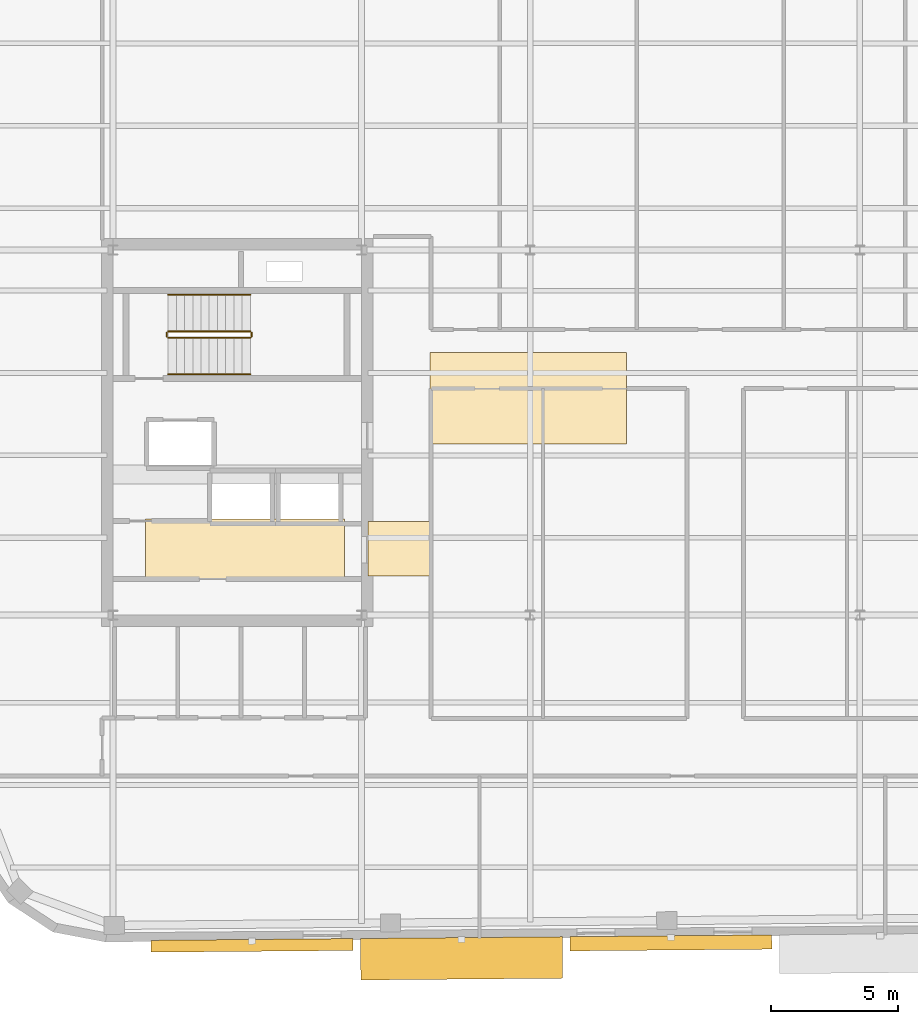
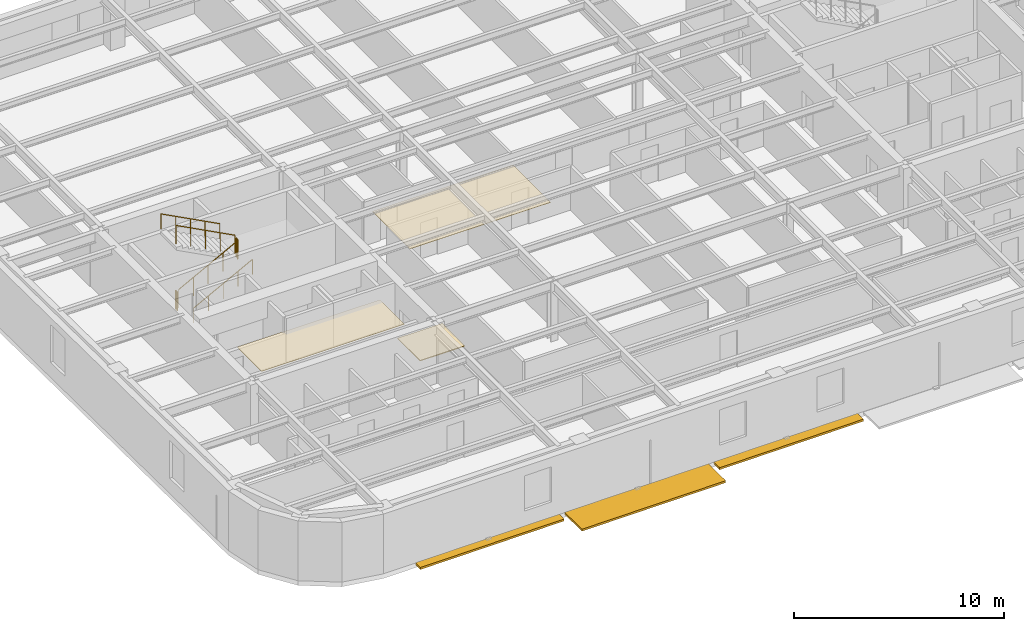
# One storey, part 11 of 13: 6 railings, 3 coverings, 3 shading devices.
"""IFC4 building model written with IfcOpenShell, lengths in metres."""

import ifcopenshell
import ifcopenshell.guid

model = None  # the IFC model being written
_history = None  # IfcOwnerHistory: only IFC2X3 demands one
_inside = {}  # id of a spatial element -> (the spatial element, [elements in it])
_under = {}  # id of a project, library or spatial element -> (it, [spatial elements below it])
_declared = {}  # id of a project -> (the project, [libraries it declares])
_typed = {}  # id of a type object -> (the type object, [elements of that type])
_made_of = {}  # id of a material, layer set ... -> (it, [elements and type objects made of it])


def new_model(schema):
    """Start an empty IFC model of exactly this schema.

    Asked for "IFC4X3", IfcOpenShell would pick the latest addendum, in which some entities
    have other attributes; the version numbers below select the first issue.
    IFC2X3 requires an IfcOwnerHistory on every rooted entity: one is made here for all.
    """
    global model, _history
    if schema == "IFC4X3":
        model = ifcopenshell.file(schema_version=(4, 3, 0, 0))
    else:
        model = ifcopenshell.file(schema=schema)
    _inside.clear()
    _under.clear()
    _declared.clear()
    _typed.clear()
    _made_of.clear()
    _history = None
    if model.schema == "IFC2X3":
        org = make("IfcOrganization", Name="unknown")
        user = make(
            "IfcPersonAndOrganization",
            ThePerson=make("IfcPerson", FamilyName="unknown"),
            TheOrganization=org,
        )
        app = make(
            "IfcApplication",
            ApplicationDeveloper=org,
            Version="unknown",
            ApplicationFullName="unknown",
            ApplicationIdentifier="unknown",
        )
        _history = make(
            "IfcOwnerHistory",
            OwningUser=user,
            OwningApplication=app,
            ChangeAction="ADDED",
            CreationDate=0,
        )
    return model


def make(cls, **values):
    """One entity of the class cls with the attributes given. An attribute that is None is left unset."""
    return model.create_entity(
        cls, **{name: value for name, value in values.items() if value is not None}
    )


def rooted(cls, **values):
    """An entity with a GlobalId (a new one), such as an element, a storey or a relation."""
    return make(cls, GlobalId=ifcopenshell.guid.new(), OwnerHistory=_history, **values)


def si_unit(unit_type, name, prefix=None):
    """IfcSIUnit, for example si_unit("LENGTHUNIT", "METRE", prefix="MILLI")."""
    return make("IfcSIUnit", UnitType=unit_type, Prefix=prefix, Name=name)


def assignment(units):
    """IfcUnitAssignment: the units of a project."""
    return None if units is None else make("IfcUnitAssignment", Units=units)


def point(xyz):
    """IfcCartesianPoint."""
    return None if xyz is None else make("IfcCartesianPoint", Coordinates=xyz)


def direction(xyz):
    """IfcDirection."""
    return None if xyz is None else make("IfcDirection", DirectionRatios=xyz)


def frame(location, z_axis=None, x_axis=None):
    """IfcAxis2Placement3D, a coordinate frame: its origin and axes. An axis left out is left unset."""
    return make(
        "IfcAxis2Placement3D",
        Location=point(location),
        Axis=direction(z_axis),
        RefDirection=direction(x_axis),
    )


def frame_2d(location, x_axis=None):
    """IfcAxis2Placement2D, a coordinate frame in the plane: its origin and x axis."""
    return make(
        "IfcAxis2Placement2D", Location=point(location), RefDirection=direction(x_axis)
    )


def origin():
    """The frame at (0, 0, 0) with its axes left unset."""
    return frame((0.0, 0.0, 0.0))


def origin_2d():
    """The frame at (0, 0) in the plane with its x axis left unset."""
    return frame_2d((0.0, 0.0))


def place(relative_to, where):
    """IfcLocalPlacement: puts the frame where relative to a parent placement (None: the world)."""
    return make(
        "IfcLocalPlacement", PlacementRelTo=relative_to, RelativePlacement=where
    )


def context(
    kind, dimensions, precision=None, world=None, true_north=None, identifier=None
):
    """IfcGeometricRepresentationContext, for example the 3D "Model" context."""
    return make(
        "IfcGeometricRepresentationContext",
        ContextIdentifier=identifier,
        ContextType=kind,
        CoordinateSpaceDimension=dimensions,
        Precision=precision,
        WorldCoordinateSystem=world,
        TrueNorth=true_north,
    )


def subcontext(parent, identifier, kind, view, scale=None):
    """IfcGeometricRepresentationSubContext, for example "Body" below "Model"."""
    return make(
        "IfcGeometricRepresentationSubContext",
        ContextIdentifier=identifier,
        ContextType=kind,
        ParentContext=parent,
        TargetScale=scale,
        TargetView=view,
    )


def project(units=None, contexts=None):
    """IfcProject with its units and contexts."""
    return rooted(
        "IfcProject",
        Name="project",
        RepresentationContexts=contexts,
        UnitsInContext=assignment(units),
    )


def spatial(cls, under=None, at=None, **own):
    """A site, building, storey or space (cls), placed at a placement, below another one or the project."""
    s = rooted(cls, ObjectPlacement=at, **own)
    if under is not None:
        _under.setdefault(under.id(), (under, []))[1].append(s)
    return s


def polyline(points):
    """IfcPolyline through the points."""
    return make("IfcPolyline", Points=[point(p) for p in points])


def profile(cls, at=None, kind="AREA", **sizes):
    """A parametric profile (cls). Its sizes go by their IFC names, for example OverallWidth=200.0."""
    return make(cls, ProfileType=kind, Position=at, **sizes)


def rectangle(**sizes):
    """IfcRectangleProfileDef."""
    return profile("IfcRectangleProfileDef", **sizes)


def circle(**sizes):
    """IfcCircleProfileDef."""
    return profile("IfcCircleProfileDef", **sizes)


def outline(outer, holes=None, kind="AREA"):
    """IfcArbitraryClosedProfileDef: a profile drawn as a closed curve; with holes, ...WithVoids."""
    if holes is None:
        return make("IfcArbitraryClosedProfileDef", ProfileType=kind, OuterCurve=outer)
    return make(
        "IfcArbitraryProfileDefWithVoids",
        ProfileType=kind,
        OuterCurve=outer,
        InnerCurves=holes,
    )


def extrude(swept, where, along, depth):
    """IfcExtrudedAreaSolid: the profile swept, set in the frame where, extruded along a direction by depth."""
    return make(
        "IfcExtrudedAreaSolid",
        SweptArea=swept,
        Position=where,
        ExtrudedDirection=direction(along),
        Depth=depth,
    )


def shape(context_of_items, identifier, shape_type, items):
    """IfcShapeRepresentation: the items that make up one representation, for example the "Body"."""
    return make(
        "IfcShapeRepresentation",
        ContextOfItems=context_of_items,
        RepresentationIdentifier=identifier,
        RepresentationType=shape_type,
        Items=items,
    )


def material(Name=None, Category=None):
    """IfcMaterial."""
    return make("IfcMaterial", Name=Name, Category=Category)


def layer(
    of_material, thickness, ventilated=None, Name=None, Category=None, Priority=None
):
    """IfcMaterialLayer: one layer of a wall or slab, of a material (None: an air gap)."""
    return make(
        "IfcMaterialLayer",
        Material=of_material,
        LayerThickness=thickness,
        IsVentilated=ventilated,
        Name=Name,
        Category=Category,
        Priority=Priority,
    )


def layer_set(layers, Name=None):
    """IfcMaterialLayerSet."""
    return make("IfcMaterialLayerSet", MaterialLayers=layers, LayerSetName=Name)


def made_of(thing, what):
    """Note that an element or type object is made of a material, layer set ...; save() writes the relation."""
    if what is not None:
        _made_of.setdefault(what.id(), (what, []))[1].append(thing)
    return thing


def type_object(cls, material=None, **own):
    """A type object (cls), such as IfcWallType, which elements share."""
    return made_of(rooted(cls, **own), material)


def element(
    cls,
    number,
    at=None,
    inside=None,
    cuts=None,
    type_object=None,
    material=None,
    context=None,
    identifier="Body",
    shape_type=None,
    held_by="IfcProductDefinitionShape",
    body=None,
    shapes=None,
    **own,
):
    """One element of the class cls, such as IfcWall. Its Tag is "e" and its number.

    at: its placement. inside: the storey or other place that contains it. cuts: it is an
    opening in that element (IfcRelVoidsElement). A single representation is given by context,
    identifier, shape_type and body (its items); several are given by shapes. held_by: the class
    of the entity that holds the representations. save() writes the other relations.
    """
    e = rooted(cls, Tag="e%d" % number, ObjectPlacement=at, **own)
    if body is not None:
        shapes = [shape(context, identifier, shape_type, body)]
    if shapes is not None:
        e.Representation = make(held_by, Representations=shapes)
    if inside is not None:
        _inside.setdefault(inside.id(), (inside, []))[1].append(e)
    if cuts is not None:
        rooted(
            "IfcRelVoidsElement", RelatingBuildingElement=cuts, RelatedOpeningElement=e
        )
    if type_object is not None:
        _typed.setdefault(type_object.id(), (type_object, []))[1].append(e)
    return made_of(e, material)


def aggregate(whole, parts):
    """IfcRelAggregates: a whole, such as a stair, and the parts it consists of."""
    return rooted("IfcRelAggregates", RelatingObject=whole, RelatedObjects=parts)


def save(model, path):
    """Write the relations noted so far, then the file.

    IfcRelAggregates (storeys below a building ...), IfcRelContainedInSpatialStructure (elements
    in a storey), IfcRelDefinesByType, IfcRelAssociatesMaterial and IfcRelDeclares: one each for
    every whole, place, type object, material and project.
    """
    for whole, parts in _under.values():
        aggregate(whole, parts)
    for where, things in _inside.values():
        rooted(
            "IfcRelContainedInSpatialStructure",
            RelatedElements=things,
            RelatingStructure=where,
        )
    for kind, things in _typed.values():
        rooted("IfcRelDefinesByType", RelatedObjects=things, RelatingType=kind)
    for what, things in _made_of.values():
        rooted("IfcRelAssociatesMaterial", RelatedObjects=things, RelatingMaterial=what)
    for by, libraries in _declared.values():
        rooted("IfcRelDeclares", RelatingContext=by, RelatedDefinitions=libraries)
    model.write(path)


model = new_model("IFC4")

# Units and contexts
model_context = context("Model", 3, precision=1e-05, world=origin(), true_north=direction((0.0, 1.0)))
body_context = subcontext(model_context, "Body", "Model", "MODEL_VIEW")
ifc_project = project(units=[si_unit("LENGTHUNIT", "METRE"), si_unit("AREAUNIT", "SQUARE_METRE"), si_unit("VOLUMEUNIT", "CUBIC_METRE"), si_unit("PLANEANGLEUNIT", "RADIAN"), si_unit("MASSUNIT", "GRAM", prefix="KILO")], contexts=[model_context])

# Site, building, storey
site_placement = place(None, origin())
site = spatial("IfcSite", under=ifc_project, at=site_placement, CompositionType="ELEMENT")
building_placement = place(site_placement, origin())
building = spatial("IfcBuilding", under=site, at=building_placement, Name="Kolvaren Arena Tower", CompositionType="ELEMENT")
storey_placement = place(building_placement, frame((0.0, 0.0, 301.14990234375)))
storey = spatial("IfcBuildingStorey", under=building, at=storey_placement, Name="L74", CompositionType="ELEMENT", Elevation=301.14990234375)

# Coverings
ifc_material_1 = material(Name="Mineral fibre acoustic ceiling tile", Category="gypsum")
ifc_layer_1 = layer(ifc_material_1, 0.02490234375)
ifc_layer_set_1 = layer_set([ifc_layer_1], Name="Mineral fibre acoustic ceiling tile")
covering_type_1 = type_object("IfcCoveringType", Name="CEIL-ACT-1", PredefinedType="CEILING", material=ifc_layer_set_1)
covering_1_placement = place(storey_placement, frame((0.0, 0.0, 2.52001953125)))
element("IfcCovering", 1, at=covering_1_placement, inside=storey, type_object=covering_type_1, Name="Suspended Ceiling (L74)", PredefinedType="CEILING", context=body_context, shape_type="SweptSolid", body=[
    extrude(outline(polyline([(27.050048828125, 26.199951171875), (27.050048828125, 29.800048828125), (34.800048828125, 29.800048828125), (34.800048828125, 26.199951171875), (27.050048828125, 26.199951171875)])), origin(), (0.0, 0.0, 1.0), 0.025146484375),
])
ifc_material_2 = material(Name="Moisture-resistant gypsum ceiling", Category="gypsum")
ifc_layer_2 = layer(ifc_material_2, 0.030029296875)
ifc_layer_set_2 = layer_set([ifc_layer_2], Name="Moisture-resistant gypsum ceiling")
covering_type_2 = type_object("IfcCoveringType", Name="CEIL-GYP-1", PredefinedType="CEILING", material=ifc_layer_set_2)
covering_2_placement = place(storey_placement, frame((0.0, 0.0, 2.52001953125)))
element("IfcCovering", 2, at=covering_2_placement, inside=storey, type_object=covering_type_2, Name="Suspended Ceiling (L74)", PredefinedType="CEILING", context=body_context, shape_type="SweptSolid", body=[
    extrude(outline(polyline([(15.820068359375, 20.89990234375), (15.820068359375, 23.239990234375), (23.679931640625, 23.239990234375), (23.679931640625, 20.89990234375), (15.820068359375, 20.89990234375)])), origin(), (0.0, 0.0, 1.0), 0.030029296875),
])
ifc_material_3 = material(Name="Raised access office floor finish", Category="aluminium")
ifc_layer_3 = layer(ifc_material_3, 0.044921875)
ifc_layer_set_3 = layer_set([ifc_layer_3], Name="Raised access office floor finish")
covering_type_3 = type_object("IfcCoveringType", Name="FLOR-RAF-1", PredefinedType="FLOORING", material=ifc_layer_set_3)
covering_3_placement = place(storey_placement, origin())
element("IfcCovering", 3, at=covering_3_placement, inside=storey, type_object=covering_type_3, Name="Floor Finish (L74)", PredefinedType="FLOORING", context=body_context, shape_type="SweptSolid", body=[
    extrude(outline(polyline([(24.60009765625, 21.0), (24.60009765625, 23.14990234375), (27.080078125, 23.14990234375), (27.080078125, 21.0), (24.60009765625, 21.0)])), origin(), (0.0, 0.0, 1.0), 0.045166015625),
])

# Railings
ifc_material_4 = material(Name="Painted galvanized steel", Category="steel")
railing_type_1 = type_object("IfcRailingType", Name="GUARD-ST-110", PredefinedType="GUARDRAIL", material=ifc_material_4)
railing_1_placement = place(storey_placement, frame((16.719970703125, 30.389892578125, 0.170654296875)))
element("IfcRailing", 4, at=railing_1_placement, inside=storey, type_object=railing_type_1, Name="L74 ST-W1 stair guard 1", PredefinedType="GUARDRAIL", context=body_context, shape_type="SweptSolid", body=[
    extrude(circle(Radius=0.02392578125, at=origin_2d()), frame((0.0, 0.0, 1.076171875), z_axis=(0.885020909582, 0.0, 0.465551274945), x_axis=(0.0, 1.0, 0.0)), (0.0, 0.0, 1.0), 3.660888671875),
    extrude(circle(Radius=0.02099609375, at=origin_2d()), origin(), (0.0, 0.0, 1.0), 1.052001953125),
    extrude(circle(Radius=0.02099609375, at=origin_2d()), frame((0.81005859375, 0.0, 0.426025390625)), (0.0, 0.0, 1.0), 1.052001953125),
    extrude(circle(Radius=0.02099609375, at=origin_2d()), frame((1.6201171875, 0.0, 0.85205078125)), (0.0, 0.0, 1.0), 1.052001953125),
    extrude(circle(Radius=0.02099609375, at=origin_2d()), frame((2.429931640625, 0.0, 1.2783203125)), (0.0, 0.0, 1.0), 1.052001953125),
    extrude(circle(Radius=0.02099609375, at=origin_2d()), frame((3.239990234375, 0.0, 1.704345703125)), (0.0, 0.0, 1.0), 1.052001953125),
])
railing_2_placement = place(storey_placement, frame((20.010009765625, 30.43994140625, 1.875)))
element("IfcRailing", 5, at=railing_2_placement, inside=storey, type_object=railing_type_1, Name="L74 ST-W1 stair guard 2", PredefinedType="GUARDRAIL", context=body_context, shape_type="SweptSolid", body=[
    extrude(circle(Radius=0.02392578125, at=origin_2d()), frame((0.0, 0.0, 1.076171875), z_axis=(0.0, 1.0, 0.0), x_axis=(-1.0, 0.0, 0.0)), (0.0, 0.0, 1.0), 0.150146484375),
    extrude(circle(Radius=0.02099609375, at=origin_2d()), origin(), (0.0, 0.0, 1.0), 1.052001953125),
    extrude(circle(Radius=0.02099609375, at=origin_2d()), frame((0.0, 0.150146484375, 0.0)), (0.0, 0.0, 1.0), 1.052001953125),
])
railing_3_placement = place(storey_placement, frame((19.9599609375, 30.639892578125, 2.045654296875)))
element("IfcRailing", 6, at=railing_3_placement, inside=storey, type_object=railing_type_1, Name="L74 ST-W1 stair guard 3", PredefinedType="GUARDRAIL", context=body_context, shape_type="SweptSolid", body=[
    extrude(circle(Radius=0.02392578125, at=origin_2d()), frame((0.0, 0.0, 1.076171875), z_axis=(-0.885020909582, 0.0, 0.465551274945), x_axis=(0.0, -1.0, 0.0)), (0.0, 0.0, 1.0), 3.660888671875),
    extrude(circle(Radius=0.02099609375, at=origin_2d()), origin(), (0.0, 0.0, 1.0), 1.052001953125),
    extrude(circle(Radius=0.02099609375, at=origin_2d()), frame((-0.81005859375, 0.0, 0.426025390625)), (0.0, 0.0, 1.0), 1.052001953125),
    extrude(circle(Radius=0.02099609375, at=origin_2d()), frame((-1.6201171875, 0.0, 0.85205078125)), (0.0, 0.0, 1.0), 1.052001953125),
    extrude(circle(Radius=0.02099609375, at=origin_2d()), frame((-2.429931640625, 0.0, 1.2783203125)), (0.0, 0.0, 1.0), 1.052001953125),
    extrude(circle(Radius=0.02099609375, at=origin_2d()), frame((-3.239990234375, 0.0, 1.704345703125)), (0.0, 0.0, 1.0), 1.052001953125),
])
railing_4_placement = place(storey_placement, frame((16.669921875, 30.43994140625, 0.0)))
element("IfcRailing", 7, at=railing_4_placement, inside=storey, type_object=railing_type_1, Name="L74 ST-W1 stair guard 4", PredefinedType="GUARDRAIL", context=body_context, shape_type="SweptSolid", body=[
    extrude(circle(Radius=0.02392578125, at=origin_2d()), frame((0.0, 0.0, 1.076171875), z_axis=(0.0, 1.0, 0.0), x_axis=(-1.0, 0.0, 0.0)), (0.0, 0.0, 1.0), 0.150146484375),
    extrude(circle(Radius=0.02099609375, at=origin_2d()), origin(), (0.0, 0.0, 1.0), 1.052001953125),
    extrude(circle(Radius=0.02099609375, at=origin_2d()), frame((0.0, 0.150146484375, 0.0)), (0.0, 0.0, 1.0), 1.052001953125),
])
ifc_material_5 = material(Name="Brushed stainless steel handrail", Category="steel")
railing_type_2 = type_object("IfcRailingType", Name="HRAIL-900", PredefinedType="HANDRAIL", material=ifc_material_5)
railing_5_placement = place(storey_placement, frame((16.719970703125, 28.949951171875, 0.170654296875)))
element("IfcRailing", 8, at=railing_5_placement, inside=storey, type_object=railing_type_2, Name="L74 ST-W1 stair handrail 1", PredefinedType="HANDRAIL", context=body_context, shape_type="SweptSolid", body=[
    extrude(circle(Radius=0.02392578125, at=origin_2d()), frame((0.0, 0.0, 0.8759765625), z_axis=(0.885020909582, 0.0, 0.465551274945), x_axis=(0.0, 1.0, 0.0)), (0.0, 0.0, 1.0), 3.660888671875),
    extrude(circle(Radius=0.02099609375, at=origin_2d()), origin(), (0.0, 0.0, 1.0), 0.851806640625),
    extrude(circle(Radius=0.02099609375, at=origin_2d()), frame((0.81005859375, 0.0, 0.426025390625)), (0.0, 0.0, 1.0), 0.851806640625),
    extrude(circle(Radius=0.02099609375, at=origin_2d()), frame((1.6201171875, 0.0, 0.85205078125)), (0.0, 0.0, 1.0), 0.851806640625),
    extrude(circle(Radius=0.02099609375, at=origin_2d()), frame((2.429931640625, 0.0, 1.2783203125)), (0.0, 0.0, 1.0), 0.851806640625),
    extrude(circle(Radius=0.02099609375, at=origin_2d()), frame((3.239990234375, 0.0, 1.704345703125)), (0.0, 0.0, 1.0), 0.851806640625),
])
railing_6_placement = place(storey_placement, frame((19.9599609375, 32.080078125, 2.045654296875)))
element("IfcRailing", 9, at=railing_6_placement, inside=storey, type_object=railing_type_2, Name="L74 ST-W1 stair handrail 2", PredefinedType="HANDRAIL", context=body_context, shape_type="SweptSolid", body=[
    extrude(circle(Radius=0.02392578125, at=origin_2d()), frame((0.0, 0.0, 0.8759765625), z_axis=(-0.885020909582, 0.0, 0.465551274945), x_axis=(0.0, -1.0, 0.0)), (0.0, 0.0, 1.0), 3.660888671875),
    extrude(circle(Radius=0.02099609375, at=origin_2d()), origin(), (0.0, 0.0, 1.0), 0.851806640625),
    extrude(circle(Radius=0.02099609375, at=origin_2d()), frame((-0.81005859375, 0.0, 0.426025390625)), (0.0, 0.0, 1.0), 0.851806640625),
    extrude(circle(Radius=0.02099609375, at=origin_2d()), frame((-1.6201171875, 0.0, 0.85205078125)), (0.0, 0.0, 1.0), 0.851806640625),
    extrude(circle(Radius=0.02099609375, at=origin_2d()), frame((-2.429931640625, 0.0, 1.2783203125)), (0.0, 0.0, 1.0), 0.851806640625),
    extrude(circle(Radius=0.02099609375, at=origin_2d()), frame((-3.239990234375, 0.0, 1.704345703125)), (0.0, 0.0, 1.0), 0.851806640625),
])

# Shading devices
ifc_material_6 = material(Name="Architectural precast GFRC and anodised aluminium sunshade", Category="concrete")
shading_device_type_1 = type_object("IfcShadingDeviceType", Name="SHAD-SINE-A", PredefinedType="USERDEFINED", material=ifc_material_6)
shading_device_1_placement = place(storey_placement, frame((36.548828125, 6.52099609375, -0.139892578125), z_axis=(0.0, 0.0, 1.0), x_axis=(-0.999961923064, -0.008726535498, 0.0)))
element("IfcShadingDevice", 10, at=shading_device_1_placement, inside=storey, type_object=shading_device_type_1, Name="Sinusoidal Slab-Edge Sunshade Louvre (L74)", ObjectType="LOUVRE", PredefinedType="USERDEFINED", context=body_context, shape_type="SweptSolid", body=[
    extrude(rectangle(XDim=7.9599609375, YDim=0.562255859375, at=origin_2d()), origin(), (0.0, 0.0, 1.0), 0.1201171875),
])
shading_device_2_placement = place(storey_placement, frame((20.029052734375, 6.423583984375, -0.139892578125), z_axis=(0.0, 0.0, 1.0), x_axis=(-0.999961923064, -0.008726535498, 0.0)))
element("IfcShadingDevice", 11, at=shading_device_2_placement, inside=storey, type_object=shading_device_type_1, Name="Sinusoidal Slab-Edge Sunshade Louvre (L74)", ObjectType="LOUVRE", PredefinedType="USERDEFINED", context=body_context, shape_type="SweptSolid", body=[
    extrude(rectangle(XDim=7.9599609375, YDim=0.468994140625, at=origin_2d()), origin(), (0.0, 0.0, 1.0), 0.1201171875),
])
shading_device_type_2 = type_object("IfcShadingDeviceType", Name="SHAD-SINE-B", PredefinedType="JALOUSIE", material=ifc_material_6)
shading_device_3_placement = place(storey_placement, frame((28.293701171875, 5.91162109375, -0.139892578125), z_axis=(0.0, 0.0, 1.0), x_axis=(-0.999961923064, -0.008726535498, 0.0)))
element("IfcShadingDevice", 12, at=shading_device_3_placement, inside=storey, type_object=shading_device_type_2, Name="Sinusoidal Slab-Edge Sunshade Louvre (L74)", PredefinedType="JALOUSIE", context=body_context, shape_type="SweptSolid", body=[
    extrude(rectangle(XDim=7.9599609375, YDim=1.63720703125, at=origin_2d()), origin(), (0.0, 0.0, 1.0), 0.1201171875),
])

save(model, "model.ifc")
